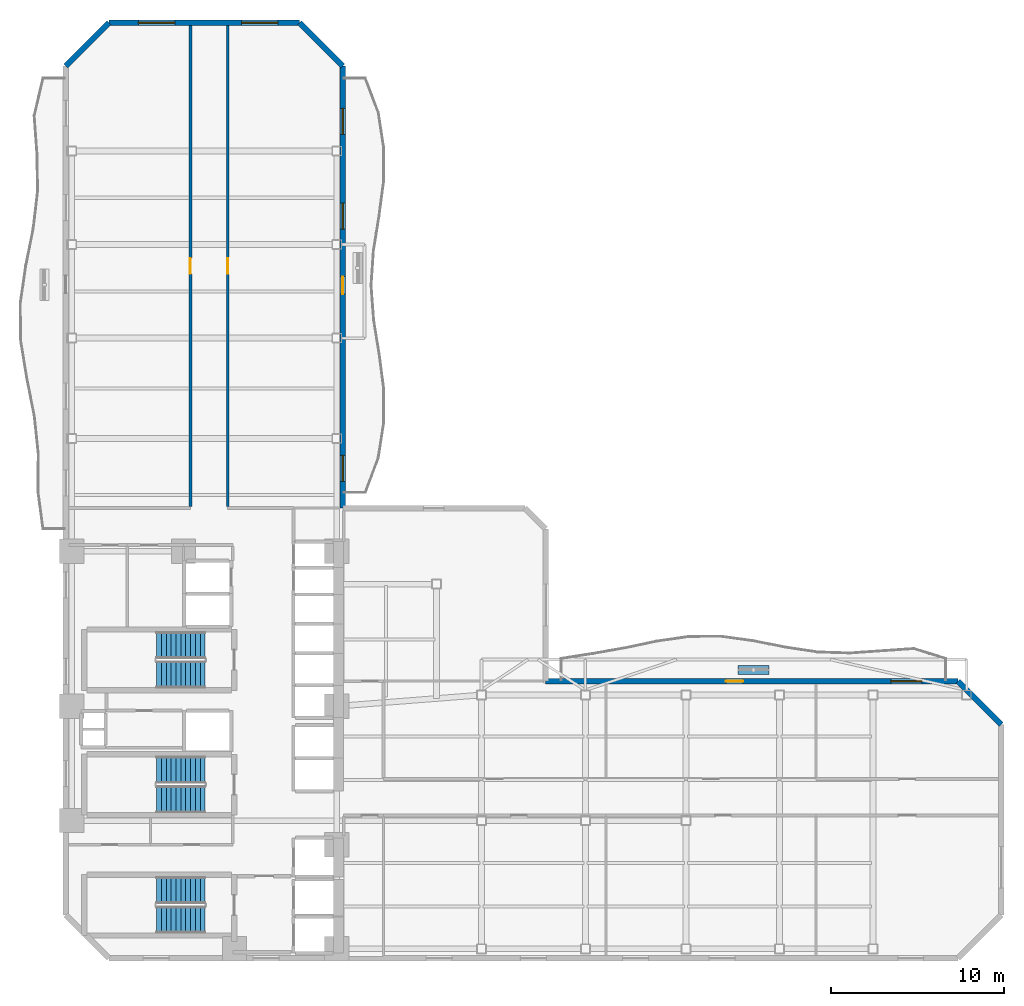
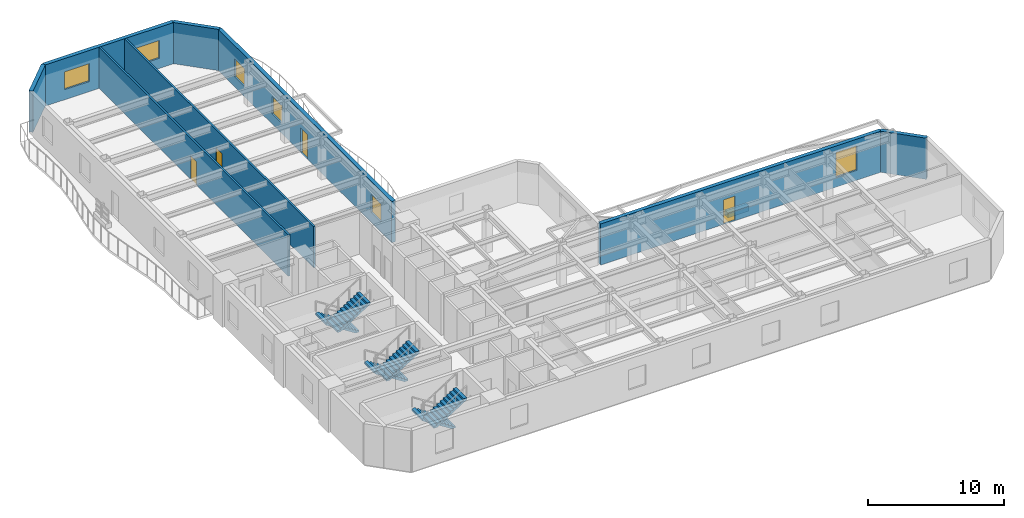
# One storey, part 6 of 10: 8 walls, 6 stair flights, 6 windows, 4 doors, 1 discrete accessory, 10 openings, 3 elements without a shape of their own.
"""IFC4 building model written with IfcOpenShell, lengths in metres."""

from ifc_helpers import new_model, si_unit, direction, frame, frame_2d, origin, origin_2d, place, context, subcontext, project, spatial, polyline, rectangle, outline, extrude, material, layer, layer_set, type_object, element, fill, aggregate, save


model = new_model("IFC4")

# Units and contexts
model_context = context("Model", 3, precision=1e-05, world=origin(), true_north=direction((0.0, 1.0)))
body_context = subcontext(model_context, "Body", "Model", "MODEL_VIEW")
ifc_project = project(units=[si_unit("LENGTHUNIT", "METRE"), si_unit("AREAUNIT", "SQUARE_METRE"), si_unit("VOLUMEUNIT", "CUBIC_METRE"), si_unit("PLANEANGLEUNIT", "RADIAN"), si_unit("MASSUNIT", "GRAM", prefix="KILO")], contexts=[model_context])

# Site, building, storey
site_placement = place(None, origin())
site = spatial("IfcSite", under=ifc_project, at=site_placement, CompositionType="ELEMENT")
building_placement = place(site_placement, origin())
building = spatial("IfcBuilding", under=site, at=building_placement, Name="Mawjaban Terraces University", CompositionType="ELEMENT")
storey_placement = place(building_placement, frame((0.0, 0.0, 73.89990234375)))
storey = spatial("IfcBuildingStorey", under=building, at=storey_placement, Name="L17", CompositionType="ELEMENT", Elevation=73.89990234375)

# Wall, opening, door
ifc_material_1 = material(Name="Fire-rated gypsum board on steel stud", Category="steel")
ifc_layer_1 = layer(ifc_material_1, 0.159912109375)
ifc_layer_set_1 = layer_set([ifc_layer_1], Name="Fire-rated gypsum board on steel stud")
wall_type_1 = type_object("IfcWallType", Name="CorridorPartition_160", PredefinedType="PARTITIONING", material=ifc_layer_set_1)
wall_1_placement = place(storey_placement, frame((29.199951171875, 53.844970703125, 0.0), z_axis=(0.0, 0.0, 1.0), x_axis=(0.0, -1.0, 0.0)))
wall_1 = element("IfcWall", 1, at=wall_1_placement, inside=storey, type_object=wall_type_1, Name="L17 North Academic Spine Corridor Partition 26", PredefinedType="PARTITIONING", context=body_context, shape_type="SweptSolid", body=[
    extrude(rectangle(XDim=27.77001953125, YDim=0.159912109375, at=frame_2d((13.885009765625, 0.0))), origin(), (0.0, 0.0, 1.0), 3.690185546875),
])
opening_1_placement = place(wall_1_placement, frame((13.43505859375, 0.0, 0.0)))
opening_1 = element("IfcOpeningElement", 2, at=opening_1_placement, cuts=wall_1, Name="Opening ID-090", PredefinedType="OPENING", context=body_context, shape_type="SweptSolid", body=[
    extrude(rectangle(XDim=0.89990234375, YDim=2.10009765625, at=frame_2d((0.449951171875, 1.050048828125))), frame((0.0, 0.08984375, 0.0), z_axis=(0.0, -1.0, 0.0), x_axis=(1.0, 0.0, 0.0)), (0.0, 0.0, 1.0), 0.179931640625),
])
ifc_material_2 = material(Name="Powder-coated steel frame and solid acoustic timber leaf", Category="steel")
door_type_1 = type_object("IfcDoorType", Name="OfficeDoor_900x2100", OperationType="NOTDEFINED", PredefinedType="DOOR", material=ifc_material_2)
door_1_placement = place(opening_1_placement, origin())
door_1 = element("IfcDoor", 3, at=door_1_placement, inside=storey, type_object=door_type_1, Name="L17 Collaborative Study Room 8 Door", OperationType="SINGLE_SWING_RIGHT", OverallHeight=2.10009765625, OverallWidth=0.89990234375, PredefinedType="DOOR", context=body_context, shape_type="SweptSolid", body=[
    extrude(rectangle(XDim=0.89990234375, YDim=2.10009765625, at=frame_2d((0.449951171875, 1.050048828125))), frame((0.0, 0.02490234375, 0.0), z_axis=(0.0, -1.0, 0.0), x_axis=(1.0, 0.0, 0.0)), (0.0, 0.0, 1.0), 0.050048828125),
])
fill(opening_1, door_1)

wall_2_placement = place(storey_placement, frame((31.35009765625, 26.074951171875, 0.0), z_axis=(0.0, 0.0, 1.0), x_axis=(0.0, 1.0, 0.0)))
wall_2 = element("IfcWall", 4, at=wall_2_placement, inside=storey, type_object=wall_type_1, Name="L17 North Academic Spine Corridor Partition 27", PredefinedType="PARTITIONING", context=body_context, shape_type="SweptSolid", body=[
    extrude(rectangle(XDim=27.77001953125, YDim=0.159912109375, at=frame_2d((13.885009765625, 0.0))), origin(), (0.0, 0.0, 1.0), 3.690185546875),
])
opening_2_placement = place(wall_2_placement, frame((13.43505859375, 0.0, 0.0)))
opening_2 = element("IfcOpeningElement", 5, at=opening_2_placement, cuts=wall_2, Name="Opening ID-090", PredefinedType="OPENING", context=body_context, shape_type="SweptSolid", body=[
    extrude(rectangle(XDim=0.89990234375, YDim=2.10009765625, at=frame_2d((0.449951171875, 1.050048828125))), frame((0.0, 0.08984375, 0.0), z_axis=(0.0, -1.0, 0.0), x_axis=(1.0, 0.0, 0.0)), (0.0, 0.0, 1.0), 0.179931640625),
])
door_2_placement = place(opening_2_placement, origin())
door_2 = element("IfcDoor", 6, at=door_2_placement, inside=storey, type_object=door_type_1, Name="L17 Collaborative Study Room 9 Door", OperationType="SINGLE_SWING_LEFT", OverallHeight=2.10009765625, OverallWidth=0.89990234375, PredefinedType="DOOR", context=body_context, shape_type="SweptSolid", body=[
    extrude(rectangle(XDim=0.89990234375, YDim=2.10009765625, at=frame_2d((0.449951171875, 1.050048828125))), frame((0.0, 0.02490234375, 0.0), z_axis=(0.0, -1.0, 0.0), x_axis=(1.0, 0.0, 0.0)), (0.0, 0.0, 1.0), 0.050048828125),
])
fill(opening_2, door_2)

# Wall
ifc_material_3 = material(Name="Insulated terracotta rainscreen on concrete backup C40/50", Category="masonry")
ifc_layer_2 = layer(ifc_material_3, 0.320068359375)
ifc_layer_set_2 = layer_set([ifc_layer_2], Name="Insulated terracotta rainscreen on concrete backup C40/50")
wall_type_2 = type_object("IfcWallType", Name="ExtTerracottaWall_320", PredefinedType="SOLIDWALL", material=ifc_layer_set_2)
wall_3_placement = place(storey_placement, frame((76.0, 13.5, 0.0), z_axis=(0.0, 0.0, 1.0), x_axis=(-0.707106781187, 0.707106781187, 0.0)))
element("IfcWall", 7, at=wall_3_placement, inside=storey, type_object=wall_type_2, Name="L17 Exterior Terracotta Wall 4", PredefinedType="SOLIDWALL", context=body_context, shape_type="SweptSolid", body=[
    extrude(rectangle(XDim=3.53564453125, YDim=0.320068359375, at=frame_2d((1.767822265625, 0.0))), origin(), (0.0, 0.0, 1.0), 3.690185546875),
])

# Wall, openings, door, window
wall_4_placement = place(storey_placement, frame((73.5, 16.0, 0.0), z_axis=(0.0, 0.0, 1.0), x_axis=(-1.0, 0.0, 0.0)))
wall_4 = element("IfcWall", 8, at=wall_4_placement, inside=storey, type_object=wall_type_2, Name="L17 Exterior Terracotta Wall 5", PredefinedType="SOLIDWALL", context=body_context, shape_type="SweptSolid", body=[
    extrude(rectangle(XDim=23.800048828125, YDim=0.320068359375, at=frame_2d((11.89990234375, 0.0))), origin(), (0.0, 0.0, 1.0), 3.690185546875),
])
opening_3_placement = place(wall_4_placement, frame((12.39990234375, 0.0, 0.0)))
opening_3 = element("IfcOpeningElement", 9, at=opening_3_placement, cuts=wall_4, Name="Opening BD-100", PredefinedType="OPENING", context=body_context, shape_type="SweptSolid", body=[
    extrude(rectangle(XDim=1.0, YDim=2.199951171875, at=frame_2d((0.5, 1.10009765625))), frame((0.0, 0.169921875, 0.0), z_axis=(0.0, -1.0, 0.0), x_axis=(1.0, 0.0, 0.0)), (0.0, 0.0, 1.0), 0.340087890625),
])
opening_4_placement = place(wall_4_placement, frame((2.074951171875, 0.0, 0.89990234375)))
opening_4 = element("IfcOpeningElement", 10, at=opening_4_placement, cuts=wall_4, Name="Opening W-10", PredefinedType="OPENING", context=body_context, shape_type="SweptSolid", body=[
    extrude(rectangle(XDim=1.800048828125, YDim=2.199951171875, at=frame_2d((0.89990234375, 1.10009765625))), frame((0.0, 0.169921875, 0.0), z_axis=(0.0, -1.0, 0.0), x_axis=(1.0, 0.0, 0.0)), (0.0, 0.0, 1.0), 0.340087890625),
])
ifc_material_4 = material(Name="Thermally broken anodised aluminium and laminated safety glass", Category="aluminium")
door_type_2 = type_object("IfcDoorType", Name="BalconyGlazedDoor_1000x2200", OperationType="NOTDEFINED", PredefinedType="DOOR", material=ifc_material_4)
door_3_placement = place(opening_3_placement, origin())
door_3 = element("IfcDoor", 11, at=door_3_placement, inside=storey, type_object=door_type_2, Name="L17 Balcony Access Door inner_north", OperationType="SINGLE_SWING_RIGHT", OverallHeight=2.199951171875, OverallWidth=1.0, PredefinedType="DOOR", context=body_context, shape_type="SweptSolid", body=[
    extrude(rectangle(XDim=1.0, YDim=2.199951171875, at=frame_2d((0.5, 1.10009765625))), frame((0.0, 0.02490234375, 0.0), z_axis=(0.0, -1.0, 0.0), x_axis=(1.0, 0.0, 0.0)), (0.0, 0.0, 1.0), 0.050048828125),
])
fill(opening_3, door_3)
ifc_material_5 = material(Name="Low-E solar-control double glazing in thermally broken aluminium frame", Category="aluminium")
window_type_1 = type_object("IfcWindowType", Name="Win_1800x2200", PartitioningType="SINGLE_PANEL", PredefinedType="WINDOW", material=ifc_material_5)
window_1_placement = place(opening_4_placement, origin())
window_1 = element("IfcWindow", 12, at=window_1_placement, inside=storey, type_object=window_type_1, Name="L17 Facade Window 5.1", OverallHeight=2.199951171875, OverallWidth=1.800048828125, PartitioningType="SINGLE_PANEL", PredefinedType="WINDOW", context=body_context, shape_type="SweptSolid", body=[
    extrude(rectangle(XDim=1.800048828125, YDim=2.199951171875, at=frame_2d((0.89990234375, 1.10009765625))), frame((0.0, 0.030029296875, 0.0), z_axis=(0.0, -1.0, 0.0), x_axis=(1.0, 0.0, 0.0)), (0.0, 0.0, 1.0), 0.06005859375),
])
fill(opening_4, window_1)

# Wall, openings, door, windows
wall_5_placement = place(storey_placement, frame((38.0, 25.989990234375, 0.0), z_axis=(0.0, 0.0, 1.0), x_axis=(0.0, 1.0, 0.0)))
wall_5 = element("IfcWall", 13, at=wall_5_placement, inside=storey, type_object=wall_type_2, Name="L17 Exterior Terracotta Wall 9", PredefinedType="SOLIDWALL", context=body_context, shape_type="SweptSolid", body=[
    extrude(rectangle(XDim=25.510009765625, YDim=0.320068359375, at=frame_2d((12.7548828125, 0.0))), origin(), (0.0, 0.0, 1.0), 3.690185546875),
])
opening_5_placement = place(wall_5_placement, frame((12.35498046875, 0.0, 0.0)))
opening_5 = element("IfcOpeningElement", 14, at=opening_5_placement, cuts=wall_5, Name="Opening BD-100", PredefinedType="OPENING", context=body_context, shape_type="SweptSolid", body=[
    extrude(rectangle(XDim=1.0, YDim=2.199951171875, at=frame_2d((0.5, 1.10009765625))), frame((0.0, 0.169921875, 0.0), z_axis=(0.0, -1.0, 0.0), x_axis=(1.0, 0.0, 0.0)), (0.0, 0.0, 1.0), 0.340087890625),
])
opening_6_placement = place(wall_5_placement, frame((1.5390625, 0.0, 0.89990234375)))
opening_6 = element("IfcOpeningElement", 15, at=opening_6_placement, cuts=wall_5, Name="Opening W-02", PredefinedType="OPENING", context=body_context, shape_type="SweptSolid", body=[
    extrude(rectangle(XDim=1.5, YDim=1.60009765625, at=frame_2d((0.75, 0.800048828125))), frame((0.0, 0.169921875, 0.0), z_axis=(0.0, -1.0, 0.0), x_axis=(1.0, 0.0, 0.0)), (0.0, 0.0, 1.0), 0.340087890625),
])
opening_7_placement = place(wall_5_placement, frame((16.093994140625, 0.0, 0.89990234375)))
opening_7 = element("IfcOpeningElement", 16, at=opening_7_placement, cuts=wall_5, Name="Opening W-02", PredefinedType="OPENING", context=body_context, shape_type="SweptSolid", body=[
    extrude(rectangle(XDim=1.5, YDim=1.60009765625, at=frame_2d((0.75, 0.800048828125))), frame((0.0, 0.169921875, 0.0), z_axis=(0.0, -1.0, 0.0), x_axis=(1.0, 0.0, 0.0)), (0.0, 0.0, 1.0), 0.340087890625),
])
opening_8_placement = place(wall_5_placement, frame((21.571044921875, 0.0, 0.89990234375)))
opening_8 = element("IfcOpeningElement", 17, at=opening_8_placement, cuts=wall_5, Name="Opening W-02", PredefinedType="OPENING", context=body_context, shape_type="SweptSolid", body=[
    extrude(rectangle(XDim=1.5, YDim=1.60009765625, at=frame_2d((0.75, 0.800048828125))), frame((0.0, 0.169921875, 0.0), z_axis=(0.0, -1.0, 0.0), x_axis=(1.0, 0.0, 0.0)), (0.0, 0.0, 1.0), 0.340087890625),
])
door_4_placement = place(opening_5_placement, origin())
door_4 = element("IfcDoor", 18, at=door_4_placement, inside=storey, type_object=door_type_2, Name="L17 Balcony Access Door inner_east", OperationType="SINGLE_SWING_RIGHT", OverallHeight=2.199951171875, OverallWidth=1.0, PredefinedType="DOOR", context=body_context, shape_type="SweptSolid", body=[
    extrude(rectangle(XDim=1.0, YDim=2.199951171875, at=frame_2d((0.5, 1.10009765625))), frame((0.0, 0.02490234375, 0.0), z_axis=(0.0, -1.0, 0.0), x_axis=(1.0, 0.0, 0.0)), (0.0, 0.0, 1.0), 0.050048828125),
])
fill(opening_5, door_4)
window_type_2 = type_object("IfcWindowType", Name="Win_1500x1600", PartitioningType="SINGLE_PANEL", PredefinedType="WINDOW", material=ifc_material_5)
window_2_placement = place(opening_6_placement, origin())
window_2 = element("IfcWindow", 19, at=window_2_placement, inside=storey, type_object=window_type_2, Name="L17 Facade Window 9.1", OverallHeight=1.60009765625, OverallWidth=1.5, PartitioningType="SINGLE_PANEL", PredefinedType="WINDOW", context=body_context, shape_type="SweptSolid", body=[
    extrude(rectangle(XDim=1.5, YDim=1.60009765625, at=frame_2d((0.75, 0.800048828125))), frame((0.0, 0.030029296875, 0.0), z_axis=(0.0, -1.0, 0.0), x_axis=(1.0, 0.0, 0.0)), (0.0, 0.0, 1.0), 0.06005859375),
])
fill(opening_6, window_2)
window_3_placement = place(opening_7_placement, origin())
window_3 = element("IfcWindow", 20, at=window_3_placement, inside=storey, type_object=window_type_2, Name="L17 Facade Window 9.3", OverallHeight=1.60009765625, OverallWidth=1.5, PartitioningType="SINGLE_PANEL", PredefinedType="WINDOW", context=body_context, shape_type="SweptSolid", body=[
    extrude(rectangle(XDim=1.5, YDim=1.60009765625, at=frame_2d((0.75, 0.800048828125))), frame((0.0, 0.030029296875, 0.0), z_axis=(0.0, -1.0, 0.0), x_axis=(1.0, 0.0, 0.0)), (0.0, 0.0, 1.0), 0.06005859375),
])
fill(opening_7, window_3)
window_4_placement = place(opening_8_placement, origin())
window_4 = element("IfcWindow", 21, at=window_4_placement, inside=storey, type_object=window_type_2, Name="L17 Facade Window 9.4", OverallHeight=1.60009765625, OverallWidth=1.5, PartitioningType="SINGLE_PANEL", PredefinedType="WINDOW", context=body_context, shape_type="SweptSolid", body=[
    extrude(rectangle(XDim=1.5, YDim=1.60009765625, at=frame_2d((0.75, 0.800048828125))), frame((0.0, 0.030029296875, 0.0), z_axis=(0.0, -1.0, 0.0), x_axis=(1.0, 0.0, 0.0)), (0.0, 0.0, 1.0), 0.06005859375),
])
fill(opening_8, window_4)

# Wall
wall_6_placement = place(storey_placement, frame((38.0, 51.5, 0.0), z_axis=(0.0, 0.0, 1.0), x_axis=(-0.707106781187, 0.707106781187, 0.0)))
element("IfcWall", 22, at=wall_6_placement, inside=storey, type_object=wall_type_2, Name="L17 Exterior Terracotta Wall 10", PredefinedType="SOLIDWALL", context=body_context, shape_type="SweptSolid", body=[
    extrude(rectangle(XDim=3.53564453125, YDim=0.320068359375, at=frame_2d((1.767822265625, 0.0))), origin(), (0.0, 0.0, 1.0), 3.690185546875),
])

# Wall, openings, windows
wall_7_placement = place(storey_placement, frame((35.5, 54.0, 0.0), z_axis=(0.0, 0.0, 1.0), x_axis=(-1.0, 0.0, 0.0)))
wall_7 = element("IfcWall", 23, at=wall_7_placement, inside=storey, type_object=wall_type_2, Name="L17 Exterior Terracotta Wall 11", PredefinedType="SOLIDWALL", context=body_context, shape_type="SweptSolid", body=[
    extrude(rectangle(XDim=11.0, YDim=0.320068359375, at=frame_2d((5.5, 0.0))), origin(), (0.0, 0.0, 1.0), 3.690185546875),
])
opening_9_placement = place(wall_7_placement, frame((1.25, 0.0, 0.89990234375)))
opening_9 = element("IfcOpeningElement", 24, at=opening_9_placement, cuts=wall_7, Name="Opening W-04", PredefinedType="OPENING", context=body_context, shape_type="SweptSolid", body=[
    extrude(rectangle(XDim=2.10009765625, YDim=1.60009765625, at=frame_2d((1.050048828125, 0.800048828125))), frame((0.0, 0.169921875, 0.0), z_axis=(0.0, -1.0, 0.0), x_axis=(1.0, 0.0, 0.0)), (0.0, 0.0, 1.0), 0.340087890625),
])
opening_10_placement = place(wall_7_placement, frame((7.199951171875, 0.0, 0.89990234375)))
opening_10 = element("IfcOpeningElement", 25, at=opening_10_placement, cuts=wall_7, Name="Opening W-04", PredefinedType="OPENING", context=body_context, shape_type="SweptSolid", body=[
    extrude(rectangle(XDim=2.10009765625, YDim=1.60009765625, at=frame_2d((1.050048828125, 0.800048828125))), frame((0.0, 0.169921875, 0.0), z_axis=(0.0, -1.0, 0.0), x_axis=(1.0, 0.0, 0.0)), (0.0, 0.0, 1.0), 0.340087890625),
])
window_type_3 = type_object("IfcWindowType", Name="Win_2100x1600", PartitioningType="SINGLE_PANEL", PredefinedType="WINDOW", material=ifc_material_5)
window_5_placement = place(opening_9_placement, origin())
window_5 = element("IfcWindow", 26, at=window_5_placement, inside=storey, type_object=window_type_3, Name="L17 Facade Window 11.1", OverallHeight=1.60009765625, OverallWidth=2.10009765625, PartitioningType="SINGLE_PANEL", PredefinedType="WINDOW", context=body_context, shape_type="SweptSolid", body=[
    extrude(rectangle(XDim=2.10009765625, YDim=1.60009765625, at=frame_2d((1.050048828125, 0.800048828125))), frame((0.0, 0.030029296875, 0.0), z_axis=(0.0, -1.0, 0.0), x_axis=(1.0, 0.0, 0.0)), (0.0, 0.0, 1.0), 0.06005859375),
])
fill(opening_9, window_5)
window_6_placement = place(opening_10_placement, origin())
window_6 = element("IfcWindow", 27, at=window_6_placement, inside=storey, type_object=window_type_3, Name="L17 Facade Window 11.2", OverallHeight=1.60009765625, OverallWidth=2.10009765625, PartitioningType="SINGLE_PANEL", PredefinedType="WINDOW", context=body_context, shape_type="SweptSolid", body=[
    extrude(rectangle(XDim=2.10009765625, YDim=1.60009765625, at=frame_2d((1.050048828125, 0.800048828125))), frame((0.0, 0.030029296875, 0.0), z_axis=(0.0, -1.0, 0.0), x_axis=(1.0, 0.0, 0.0)), (0.0, 0.0, 1.0), 0.06005859375),
])
fill(opening_10, window_6)

# Wall
wall_8_placement = place(storey_placement, frame((24.5, 54.0, 0.0), z_axis=(0.0, 0.0, 1.0), x_axis=(-0.707106781187, -0.707106781187, 0.0)))
element("IfcWall", 28, at=wall_8_placement, inside=storey, type_object=wall_type_2, Name="L17 Exterior Terracotta Wall 12", PredefinedType="SOLIDWALL", context=body_context, shape_type="SweptSolid", body=[
    extrude(rectangle(XDim=3.53564453125, YDim=0.320068359375, at=frame_2d((1.767822265625, 0.0))), origin(), (0.0, 0.0, 1.0), 3.690185546875),
])

# Stair, stair flights
ifc_material_6 = material(Name="Concrete C40/50", Category="concrete")
stair_type = type_object("IfcStairType", Name="Stair_Core1550_H39", PredefinedType="HALF_TURN_STAIR", material=ifc_material_6)
stair_1_placement = place(storey_placement, origin())
stair_1 = element("IfcStair", 29, at=stair_1_placement, inside=storey, type_object=stair_type, Name="L17 Core Exit Stair 1", PredefinedType="HALF_TURN_STAIR")
stair_flight_type = type_object("IfcStairFlightType", Name="Flight_Core1550_H39", PredefinedType="STRAIGHT", material=ifc_material_6)
stair_flight_1_placement = place(storey_placement, frame((30.050048828125, 3.925048828125, 0.0), z_axis=(0.0, 0.0, 1.0), x_axis=(-1.0, 0.0, 0.0)))
stair_flight_1 = element("IfcStairFlight", 30, at=stair_flight_1_placement, type_object=stair_flight_type, Name="ST-1 flight 1", NumberOfRisers=11, NumberOfTreads=10, PredefinedType="STRAIGHT", RiserHeight=0.177272727, TreadLength=0.28, context=body_context, shape_type="SweptSolid", body=[
    extrude(outline(polyline([(0.0, 0.0), (0.0, 0.17724609375), (0.280029296875, 0.17724609375), (0.280029296875, 0.3544921875), (0.56005859375, 0.3544921875), (0.56005859375, 0.53173828125), (0.840087890625, 0.53173828125), (0.840087890625, 0.708984375), (1.1201171875, 0.708984375), (1.1201171875, 0.886474609375), (1.39990234375, 0.886474609375), (1.39990234375, 1.063720703125), (1.679931640625, 1.063720703125), (1.679931640625, 1.240966796875), (1.9599609375, 1.240966796875), (1.9599609375, 1.418212890625), (2.239990234375, 1.418212890625), (2.239990234375, 1.595458984375), (2.52001953125, 1.595458984375), (2.52001953125, 1.772705078125), (2.800048828125, 1.772705078125), (2.800048828125, 1.949951171875), (2.800048828125, 1.59521484375), (0.2802734375, 0.0), (0.0, 0.0)])), frame((0.0, 0.77490234375, 0.0), z_axis=(0.0, -1.0, 0.0), x_axis=(1.0, 0.0, 0.0)), (0.0, 0.0, 1.0), 1.550048828125),
])
stair_flight_2_placement = place(storey_placement, frame((27.25, 2.22509765625, 1.9501953125), z_axis=(0.0, 0.0, 1.0), x_axis=(1.0, 0.0, 0.0)))
stair_flight_2 = element("IfcStairFlight", 31, at=stair_flight_2_placement, type_object=stair_flight_type, Name="ST-1 flight 2", NumberOfRisers=11, NumberOfTreads=10, PredefinedType="STRAIGHT", RiserHeight=0.177272727, TreadLength=0.28, context=body_context, shape_type="SweptSolid", body=[
    extrude(outline(polyline([(0.0, 0.0), (0.0, 0.17724609375), (0.280029296875, 0.17724609375), (0.280029296875, 0.3544921875), (0.56005859375, 0.3544921875), (0.56005859375, 0.53173828125), (0.840087890625, 0.53173828125), (0.840087890625, 0.708984375), (1.1201171875, 0.708984375), (1.1201171875, 0.886474609375), (1.39990234375, 0.886474609375), (1.39990234375, 1.063720703125), (1.679931640625, 1.063720703125), (1.679931640625, 1.240966796875), (1.9599609375, 1.240966796875), (1.9599609375, 1.418212890625), (2.239990234375, 1.418212890625), (2.239990234375, 1.595458984375), (2.52001953125, 1.595458984375), (2.52001953125, 1.772705078125), (2.800048828125, 1.772705078125), (2.800048828125, 1.949951171875), (2.800048828125, 1.59521484375), (0.2802734375, 0.0), (0.0, 0.0)])), frame((0.0, 0.77490234375, 0.0), z_axis=(0.0, -1.0, 0.0), x_axis=(1.0, 0.0, 0.0)), (0.0, 0.0, 1.0), 1.550048828125),
])
aggregate(stair_1, [stair_flight_1, stair_flight_2])

stair_2_placement = place(storey_placement, origin())
stair_2 = element("IfcStair", 32, at=stair_2_placement, inside=storey, type_object=stair_type, Name="L17 Core Exit Stair 2", PredefinedType="HALF_TURN_STAIR")
stair_flight_3_placement = place(storey_placement, frame((30.050048828125, 18.074951171875, 0.0), z_axis=(0.0, 0.0, 1.0), x_axis=(-1.0, 0.0, 0.0)))
stair_flight_3 = element("IfcStairFlight", 33, at=stair_flight_3_placement, type_object=stair_flight_type, Name="ST-2 flight 1", NumberOfRisers=11, NumberOfTreads=10, PredefinedType="STRAIGHT", RiserHeight=0.177272727, TreadLength=0.28, context=body_context, shape_type="SweptSolid", body=[
    extrude(outline(polyline([(0.0, 0.0), (0.0, 0.17724609375), (0.280029296875, 0.17724609375), (0.280029296875, 0.3544921875), (0.56005859375, 0.3544921875), (0.56005859375, 0.53173828125), (0.840087890625, 0.53173828125), (0.840087890625, 0.708984375), (1.1201171875, 0.708984375), (1.1201171875, 0.886474609375), (1.39990234375, 0.886474609375), (1.39990234375, 1.063720703125), (1.679931640625, 1.063720703125), (1.679931640625, 1.240966796875), (1.9599609375, 1.240966796875), (1.9599609375, 1.418212890625), (2.239990234375, 1.418212890625), (2.239990234375, 1.595458984375), (2.52001953125, 1.595458984375), (2.52001953125, 1.772705078125), (2.800048828125, 1.772705078125), (2.800048828125, 1.949951171875), (2.800048828125, 1.59521484375), (0.2802734375, 0.0), (0.0, 0.0)])), frame((0.0, 0.77490234375, 0.0), z_axis=(0.0, -1.0, 0.0), x_axis=(1.0, 0.0, 0.0)), (0.0, 0.0, 1.0), 1.550048828125),
])
stair_flight_4_placement = place(storey_placement, frame((27.25, 16.375, 1.9501953125), z_axis=(0.0, 0.0, 1.0), x_axis=(1.0, 0.0, 0.0)))
stair_flight_4 = element("IfcStairFlight", 34, at=stair_flight_4_placement, type_object=stair_flight_type, Name="ST-2 flight 2", NumberOfRisers=11, NumberOfTreads=10, PredefinedType="STRAIGHT", RiserHeight=0.177272727, TreadLength=0.28, context=body_context, shape_type="SweptSolid", body=[
    extrude(outline(polyline([(0.0, 0.0), (0.0, 0.17724609375), (0.280029296875, 0.17724609375), (0.280029296875, 0.3544921875), (0.56005859375, 0.3544921875), (0.56005859375, 0.53173828125), (0.840087890625, 0.53173828125), (0.840087890625, 0.708984375), (1.1201171875, 0.708984375), (1.1201171875, 0.886474609375), (1.39990234375, 0.886474609375), (1.39990234375, 1.063720703125), (1.679931640625, 1.063720703125), (1.679931640625, 1.240966796875), (1.9599609375, 1.240966796875), (1.9599609375, 1.418212890625), (2.239990234375, 1.418212890625), (2.239990234375, 1.595458984375), (2.52001953125, 1.595458984375), (2.52001953125, 1.772705078125), (2.800048828125, 1.772705078125), (2.800048828125, 1.949951171875), (2.800048828125, 1.59521484375), (0.2802734375, 0.0), (0.0, 0.0)])), frame((0.0, 0.77490234375, 0.0), z_axis=(0.0, -1.0, 0.0), x_axis=(1.0, 0.0, 0.0)), (0.0, 0.0, 1.0), 1.550048828125),
])
aggregate(stair_2, [stair_flight_3, stair_flight_4])

stair_3_placement = place(storey_placement, origin())
stair_3 = element("IfcStair", 35, at=stair_3_placement, inside=storey, type_object=stair_type, Name="L17 Core Exit Stair 3", PredefinedType="HALF_TURN_STAIR")
stair_flight_5_placement = place(storey_placement, frame((30.050048828125, 10.875, 0.0), z_axis=(0.0, 0.0, 1.0), x_axis=(-1.0, 0.0, 0.0)))
stair_flight_5 = element("IfcStairFlight", 36, at=stair_flight_5_placement, type_object=stair_flight_type, Name="ST-3 flight 1", NumberOfRisers=11, NumberOfTreads=10, PredefinedType="STRAIGHT", RiserHeight=0.177272727, TreadLength=0.28, context=body_context, shape_type="SweptSolid", body=[
    extrude(outline(polyline([(0.0, 0.0), (0.0, 0.17724609375), (0.280029296875, 0.17724609375), (0.280029296875, 0.3544921875), (0.56005859375, 0.3544921875), (0.56005859375, 0.53173828125), (0.840087890625, 0.53173828125), (0.840087890625, 0.708984375), (1.1201171875, 0.708984375), (1.1201171875, 0.886474609375), (1.39990234375, 0.886474609375), (1.39990234375, 1.063720703125), (1.679931640625, 1.063720703125), (1.679931640625, 1.240966796875), (1.9599609375, 1.240966796875), (1.9599609375, 1.418212890625), (2.239990234375, 1.418212890625), (2.239990234375, 1.595458984375), (2.52001953125, 1.595458984375), (2.52001953125, 1.772705078125), (2.800048828125, 1.772705078125), (2.800048828125, 1.949951171875), (2.800048828125, 1.59521484375), (0.2802734375, 0.0), (0.0, 0.0)])), frame((0.0, 0.77490234375, 0.0), z_axis=(0.0, -1.0, 0.0), x_axis=(1.0, 0.0, 0.0)), (0.0, 0.0, 1.0), 1.550048828125),
])
stair_flight_6_placement = place(storey_placement, frame((27.25, 9.175048828125, 1.9501953125), z_axis=(0.0, 0.0, 1.0), x_axis=(1.0, 0.0, 0.0)))
stair_flight_6 = element("IfcStairFlight", 37, at=stair_flight_6_placement, type_object=stair_flight_type, Name="ST-3 flight 2", NumberOfRisers=11, NumberOfTreads=10, PredefinedType="STRAIGHT", RiserHeight=0.177272727, TreadLength=0.28, context=body_context, shape_type="SweptSolid", body=[
    extrude(outline(polyline([(0.0, 0.0), (0.0, 0.17724609375), (0.280029296875, 0.17724609375), (0.280029296875, 0.3544921875), (0.56005859375, 0.3544921875), (0.56005859375, 0.53173828125), (0.840087890625, 0.53173828125), (0.840087890625, 0.708984375), (1.1201171875, 0.708984375), (1.1201171875, 0.886474609375), (1.39990234375, 0.886474609375), (1.39990234375, 1.063720703125), (1.679931640625, 1.063720703125), (1.679931640625, 1.240966796875), (1.9599609375, 1.240966796875), (1.9599609375, 1.418212890625), (2.239990234375, 1.418212890625), (2.239990234375, 1.595458984375), (2.52001953125, 1.595458984375), (2.52001953125, 1.772705078125), (2.800048828125, 1.772705078125), (2.800048828125, 1.949951171875), (2.800048828125, 1.59521484375), (0.2802734375, 0.0), (0.0, 0.0)])), frame((0.0, 0.77490234375, 0.0), z_axis=(0.0, -1.0, 0.0), x_axis=(1.0, 0.0, 0.0)), (0.0, 0.0, 1.0), 1.550048828125),
])
aggregate(stair_3, [stair_flight_5, stair_flight_6])

# Discrete accessory
ifc_material_7 = material(Name="Precast architectural terracotta planter with engineered planting soil", Category="masonry")
discrete_accessory_type = type_object("IfcDiscreteAccessoryType", Name="IrrigatedPlanterTrough_450", PredefinedType="USERDEFINED", material=ifc_material_7)
discrete_accessory_placement = place(storey_placement, frame((61.699951171875, 16.64501953125, -0.0048828125), z_axis=(0.0, 0.0, 1.0), x_axis=(1.0, 0.0, 0.0)))
element("IfcDiscreteAccessory", 38, at=discrete_accessory_placement, inside=storey, type_object=discrete_accessory_type, Name="L17 Balcony Irrigated Planter inner_north", ObjectType="PLANTER", PredefinedType="USERDEFINED", context=body_context, shape_type="SweptSolid", body=[
    extrude(rectangle(XDim=1.800048828125, YDim=0.5, at=origin_2d()), origin(), (0.0, 0.0, 1.0), 0.449951171875),
])

save(model, "model.ifc")
